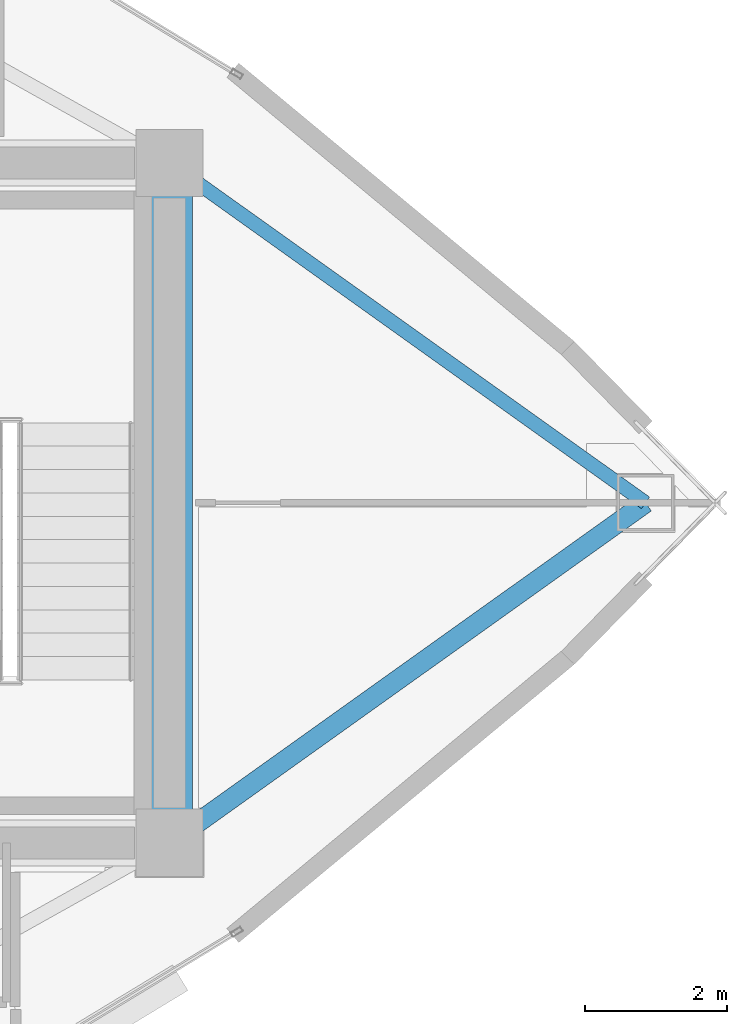
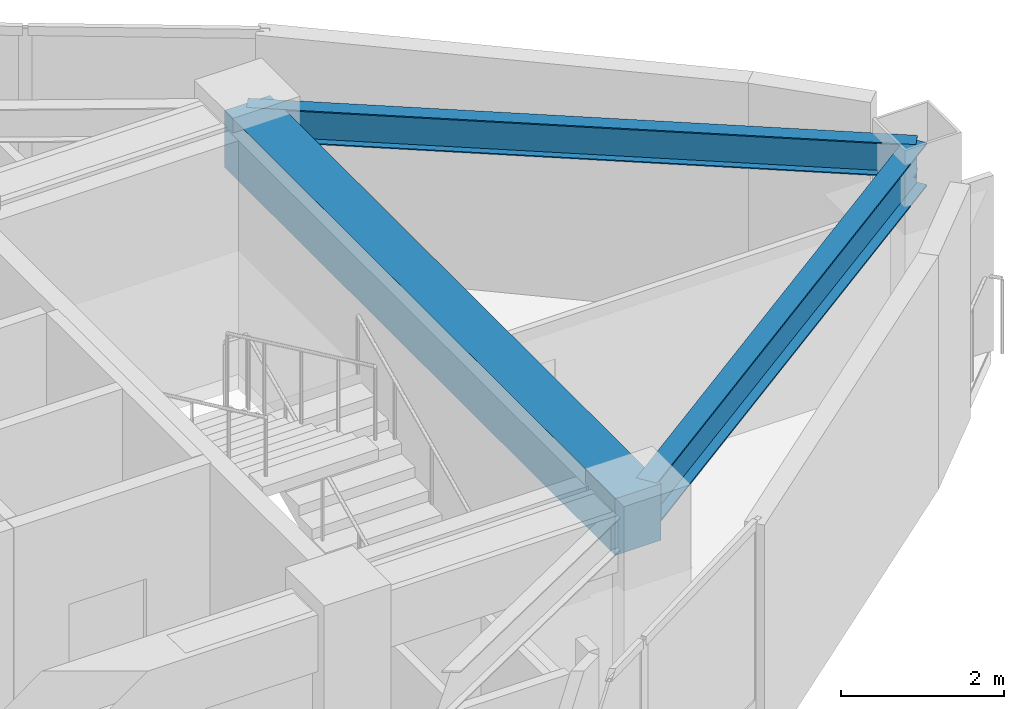
# One storey, part 6 of 15: 3 beams.
"""IFC4 building model written with IfcOpenShell, lengths in metres."""

from ifc_helpers import new_model, si_unit, direction, frame, origin, origin_2d, place, context, subcontext, project, spatial, rectangle, i_section, extrude, material, material_profile, profile_set, type_object, element, save


model = new_model("IFC4")

# Units and contexts
model_context = context("Model", 3, precision=1e-05, world=origin(), true_north=direction((0.0, 1.0)))
body_context = subcontext(model_context, "Body", "Model", "MODEL_VIEW")
ifc_project = project(units=[si_unit("LENGTHUNIT", "METRE"), si_unit("AREAUNIT", "SQUARE_METRE"), si_unit("VOLUMEUNIT", "CUBIC_METRE"), si_unit("PLANEANGLEUNIT", "RADIAN"), si_unit("MASSUNIT", "GRAM", prefix="KILO")], contexts=[model_context])

# Site, building, storey
site_placement = place(None, origin())
site = spatial("IfcSite", under=ifc_project, at=site_placement, CompositionType="ELEMENT")
building_placement = place(site_placement, origin())
building = spatial("IfcBuilding", under=site, at=building_placement, Name="Menara Vayukalpa", CompositionType="ELEMENT")
storey_placement = place(building_placement, frame((0.0, 0.0, 291.780029296875)))
storey = spatial("IfcBuildingStorey", under=building, at=storey_placement, Name="L74", CompositionType="ELEMENT", Elevation=291.780029296875)

# Beams
ifc_material_1 = material(Name="Concrete C60/75", Category="concrete")
ifc_material_profile_1 = material_profile(ifc_material_1, rectangle(XDim=0.64990234375, YDim=0.85009765625, at=origin_2d()), Name="RC 650x850")
ifc_profile_set_1 = profile_set([ifc_material_profile_1], Name="Concrete C60/75")
beam_type_1 = type_object("IfcBeamType", Name="BM-CB1", PredefinedType="BEAM", material=ifc_profile_set_1)
beam_1_placement = place(storey_placement, frame((33.39990234375, 17.199951171875, 3.074951171875), z_axis=(0.0, 1.0, 0.0), x_axis=(-1.0, 0.0, 0.0)))
element("IfcBeam", 1, at=beam_1_placement, inside=storey, type_object=beam_type_1, Name="L74 Core Tie Beam CBR8", PredefinedType="BEAM", context=body_context, shape_type="SweptSolid", body=[
    extrude(rectangle(XDim=0.64990234375, YDim=0.85009765625, at=origin_2d()), origin(), (0.0, 0.0, 1.0), 9.60009765625),
])
ifc_material_2 = material(Name="Steel S355", Category="steel")
ifc_material_profile_2 = material_profile(ifc_material_2, i_section(OverallWidth=0.280029296875, OverallDepth=0.64990234375, WebThickness=0.012939453125, FlangeThickness=0.02197265625, at=origin_2d()), Name="WF 650x280x13x22")
ifc_profile_set_2 = profile_set([ifc_material_profile_2], Name="Steel S355")
beam_type_2 = type_object("IfcBeamType", Name="BM-PG6", PredefinedType="BEAM", material=ifc_profile_set_2)
beam_2_placement = place(storey_placement, frame((33.603515625, 17.34521484375, 3.175048828125), z_axis=(0.813801429135, 0.581143040859, 0.0), x_axis=(-0.581143040859, 0.813801429135, 0.0)))
element("IfcBeam", 2, at=beam_2_placement, inside=storey, type_object=beam_type_2, Name="L74 Primary Radial Girder RG01", PredefinedType="BEAM", context=body_context, shape_type="SweptSolid", body=[
    extrude(i_section(OverallWidth=0.280029296875, OverallDepth=0.64990234375, WebThickness=0.012939453125, FlangeThickness=0.02197265625, at=origin_2d()), origin(), (0.0, 0.0, 1.0), 8.009765625),
])
ifc_material_3 = material(Name="Steel S355", Category="steel")
ifc_material_profile_3 = material_profile(ifc_material_3, i_section(OverallWidth=0.199951171875, OverallDepth=0.5, WebThickness=0.010009765625, FlangeThickness=0.01611328125, at=origin_2d()), Name="WF 500x200x10x16")
ifc_profile_set_3 = profile_set([ifc_material_profile_3], Name="Steel S355")
beam_type_3 = type_object("IfcBeamType", Name="BM-SP3", PredefinedType="SPANDREL", material=ifc_profile_set_3)
beam_3_placement = place(storey_placement, frame((40.121826171875, 22.0, 3.25), z_axis=(-0.813809355401, 0.581131941181, 0.0), x_axis=(-0.581131941181, -0.813809355401, 0.0)))
element("IfcBeam", 3, at=beam_3_placement, inside=storey, type_object=beam_type_3, Name="L74 Perimeter Spandrel Beam SP01", PredefinedType="SPANDREL", context=body_context, shape_type="SweptSolid", body=[
    extrude(i_section(OverallWidth=0.199951171875, OverallDepth=0.5, WebThickness=0.010009765625, FlangeThickness=0.01611328125, at=origin_2d()), origin(), (0.0, 0.0, 1.0), 8.259765625),
])

save(model, "model.ifc")
